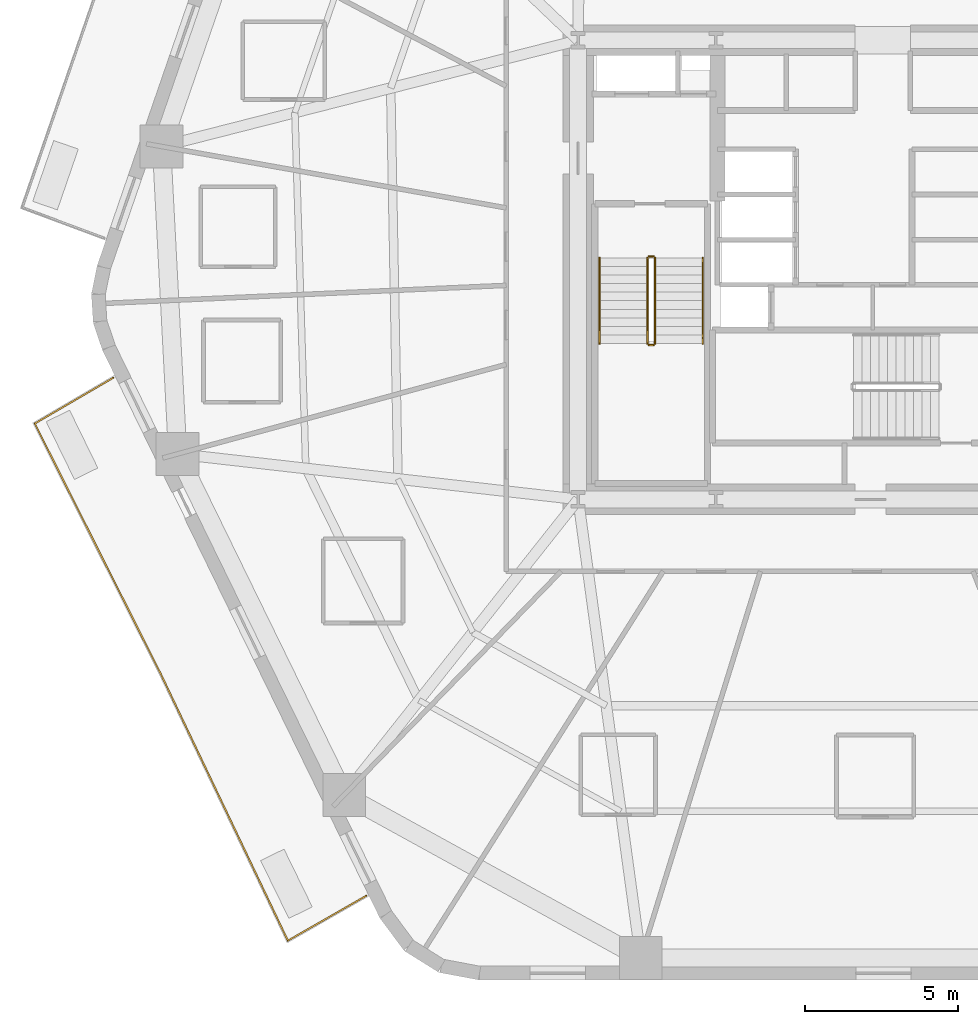
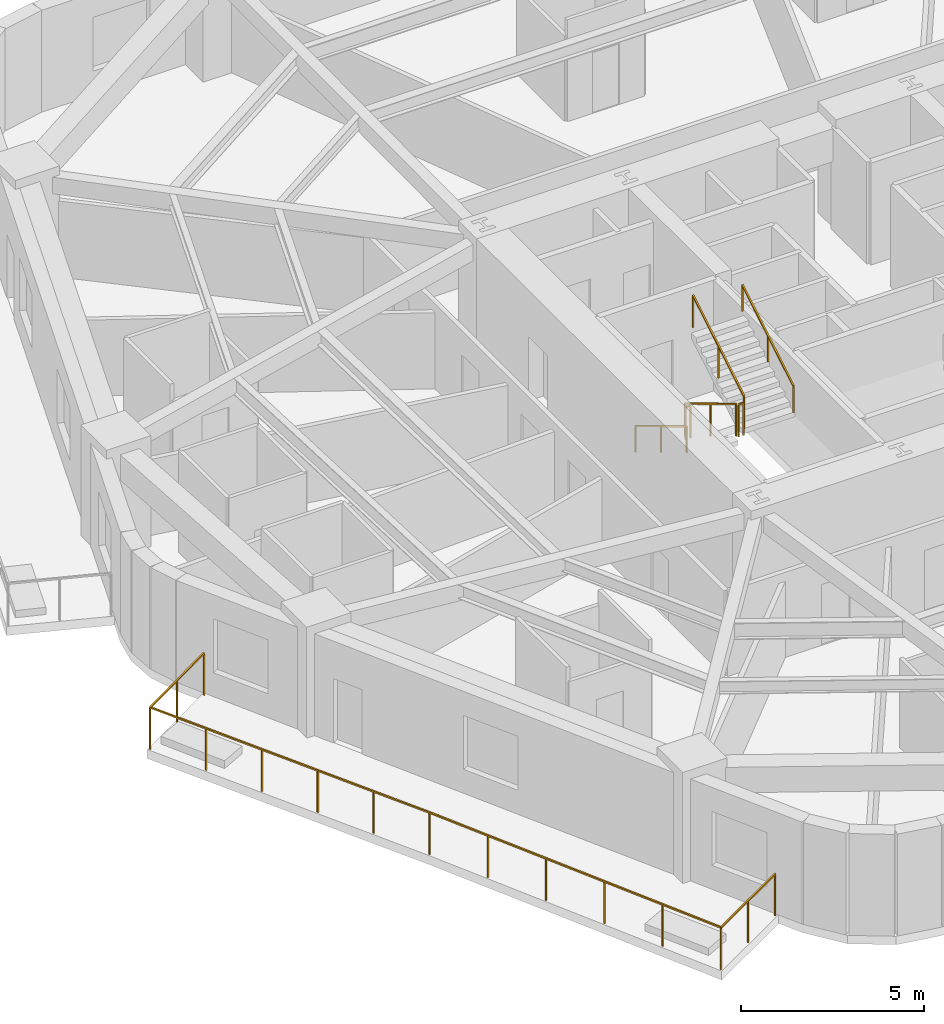
# One storey, part 8 of 10: 7 railings.
"""IFC4 building model written with IfcOpenShell, lengths in metres."""

from ifc_helpers import new_model, si_unit, direction, frame, origin, origin_2d, place, context, subcontext, project, spatial, rectangle, extrude, material, layer, layer_set, type_object, element, save


model = new_model("IFC4")

# Units and contexts
model_context = context("Model", 3, precision=1e-05, world=origin(), true_north=direction((0.0, 1.0)))
body_context = subcontext(model_context, "Body", "Model", "MODEL_VIEW")
ifc_project = project(units=[si_unit("LENGTHUNIT", "METRE"), si_unit("AREAUNIT", "SQUARE_METRE"), si_unit("VOLUMEUNIT", "CUBIC_METRE"), si_unit("PLANEANGLEUNIT", "RADIAN"), si_unit("MASSUNIT", "GRAM", prefix="KILO")], contexts=[model_context])

# Site, building, storey
site_placement = place(None, origin())
site = spatial("IfcSite", under=ifc_project, at=site_placement, CompositionType="ELEMENT")
building_placement = place(site_placement, origin())
building = spatial("IfcBuilding", under=site, at=building_placement, Name="Kilnhurst Terrace Hotel", CompositionType="ELEMENT")
storey_placement = place(building_placement, frame((0.0, 0.0, 78.60009765625)))
storey = spatial("IfcBuildingStorey", under=building, at=storey_placement, Name="L18", CompositionType="ELEMENT", Elevation=78.60009765625)

# Railings
ifc_material_1 = material(Name="Laminated SentryGlas and Stainless Steel AISI 316L Balustrade", Category="steel")
ifc_layer_1 = layer(ifc_material_1, 0.070068359375, Name="Laminated SentryGlas and Stainless Steel AISI 316L Balustrade")
ifc_layer_set_1 = layer_set([ifc_layer_1], Name="Laminated SentryGlas and Stainless Steel AISI 316L Balustrade")
railing_type_1 = type_object("IfcRailingType", Name="RLG-BAL-1420", PredefinedType="BALUSTRADE", material=ifc_layer_set_1)
railing_1_placement = place(storey_placement, frame((-15.923095703125, -20.44873046875, 0.0)))
element("IfcRailing", 1, at=railing_1_placement, inside=storey, type_object=railing_type_1, Name="L18 Exterior Terrace Guardrail BAL-L2B.1", PredefinedType="BALUSTRADE", context=body_context, shape_type="SweptSolid", body=[
    extrude(rectangle(XDim=0.048095703125, YDim=0.048095703125, at=origin_2d()), frame((0.0, 0.0, 1.39599609375), z_axis=(-0.86763656582, -0.497198943736, 0.0), x_axis=(0.497198943736, -0.86763656582, 0.0)), (0.0, 0.0, 1.0), 2.95068359375),
    extrude(rectangle(XDim=0.048095703125, YDim=0.048095703125, at=origin_2d()), frame((-2.56005859375, -1.467041015625, 1.39599609375), z_axis=(-0.430147205624, 0.902758761516, 0.0), x_axis=(-0.902758761516, -0.430147205624, 0.0)), (0.0, 0.0, 1.0), 9.67041015625),
    extrude(rectangle(XDim=0.048095703125, YDim=0.048095703125, at=origin_2d()), frame((-6.7197265625, 7.262939453125, 1.39599609375), z_axis=(-0.514495755428, 0.857492925713, 0.0), x_axis=(-0.857492925713, -0.514495755428, 0.0)), (0.0, 0.0, 1.0), 0.00146484375),
    extrude(rectangle(XDim=0.048095703125, YDim=0.048095703125, at=origin_2d()), frame((-6.720458984375, 7.26416015625, 1.39599609375), z_axis=(-0.449648824937, 0.89320542667, 0.0), x_axis=(-0.89320542667, -0.449648824937, 0.0)), (0.0, 0.0, 1.0), 9.136962890625),
    extrude(rectangle(XDim=0.048095703125, YDim=0.048095703125, at=origin_2d()), frame((-10.828857421875, 15.42529296875, 1.39599609375), z_axis=(0.863737120301, 0.503942642584, 0.0), x_axis=(-0.503942642584, 0.863737120301, 0.0)), (0.0, 0.0, 1.0), 2.96728515625),
    extrude(rectangle(XDim=0.0419921875, YDim=0.0419921875, at=origin_2d()), origin(), (0.0, 0.0, 1.0), 1.371826171875),
    extrude(rectangle(XDim=0.0419921875, YDim=0.0419921875, at=origin_2d()), frame((-1.280029296875, -0.7333984375, 0.0)), (0.0, 0.0, 1.0), 1.371826171875),
    extrude(rectangle(XDim=0.0419921875, YDim=0.0419921875, at=origin_2d()), frame((-2.56005859375, -1.467041015625, 0.0)), (0.0, 0.0, 1.0), 1.371826171875),
    extrude(rectangle(XDim=0.0419921875, YDim=0.0419921875, at=origin_2d()), frame((-3.39208984375, 0.279052734375, 0.0)), (0.0, 0.0, 1.0), 1.371826171875),
    extrude(rectangle(XDim=0.0419921875, YDim=0.0419921875, at=origin_2d()), frame((-4.223876953125, 2.02490234375, 0.0)), (0.0, 0.0, 1.0), 1.371826171875),
    extrude(rectangle(XDim=0.0419921875, YDim=0.0419921875, at=origin_2d()), frame((-5.055908203125, 3.77099609375, 0.0)), (0.0, 0.0, 1.0), 1.371826171875),
    extrude(rectangle(XDim=0.0419921875, YDim=0.0419921875, at=origin_2d()), frame((-5.8876953125, 5.516845703125, 0.0)), (0.0, 0.0, 1.0), 1.371826171875),
    extrude(rectangle(XDim=0.0419921875, YDim=0.0419921875, at=origin_2d()), frame((-6.7197265625, 7.262939453125, 0.0)), (0.0, 0.0, 1.0), 1.371826171875),
    extrude(rectangle(XDim=0.0419921875, YDim=0.0419921875, at=origin_2d()), frame((-6.720458984375, 7.26416015625, 0.0)), (0.0, 0.0, 1.0), 1.371826171875),
    extrude(rectangle(XDim=0.0419921875, YDim=0.0419921875, at=origin_2d()), frame((-7.542236328125, 8.896484375, 0.0)), (0.0, 0.0, 1.0), 1.371826171875),
    extrude(rectangle(XDim=0.0419921875, YDim=0.0419921875, at=origin_2d()), frame((-8.36376953125, 10.528564453125, 0.0)), (0.0, 0.0, 1.0), 1.371826171875),
    extrude(rectangle(XDim=0.0419921875, YDim=0.0419921875, at=origin_2d()), frame((-9.185546875, 12.160888671875, 0.0)), (0.0, 0.0, 1.0), 1.371826171875),
    extrude(rectangle(XDim=0.0419921875, YDim=0.0419921875, at=origin_2d()), frame((-10.007080078125, 13.79296875, 0.0)), (0.0, 0.0, 1.0), 1.371826171875),
    extrude(rectangle(XDim=0.0419921875, YDim=0.0419921875, at=origin_2d()), frame((-10.828857421875, 15.42529296875, 0.0)), (0.0, 0.0, 1.0), 1.371826171875),
    extrude(rectangle(XDim=0.0419921875, YDim=0.0419921875, at=origin_2d()), frame((-9.54736328125, 16.1728515625, 0.0)), (0.0, 0.0, 1.0), 1.371826171875),
    extrude(rectangle(XDim=0.0419921875, YDim=0.0419921875, at=origin_2d()), frame((-8.265869140625, 16.920654296875, 0.0)), (0.0, 0.0, 1.0), 1.371826171875),
])
ifc_material_2 = material(Name="Powder-Coated Steel ASTM A500 Grade B", Category="steel")
ifc_layer_2 = layer(ifc_material_2, 0.050048828125, Name="Powder-Coated Steel ASTM A500 Grade B")
ifc_layer_set_2 = layer_set([ifc_layer_2], Name="Powder-Coated Steel ASTM A500 Grade B")
railing_type_2 = type_object("IfcRailingType", Name="RLG-ST-GRD-1100", PredefinedType="GUARDRAIL", material=ifc_layer_set_2)
railing_2_placement = place(storey_placement, frame((-6.739990234375, 0.389892578125, 0.16796875)))
element("IfcRailing", 2, at=railing_2_placement, inside=storey, type_object=railing_type_2, Name="L18 ST-1 stair guard 1", PredefinedType="GUARDRAIL", context=body_context, shape_type="SweptSolid", body=[
    extrude(rectangle(XDim=0.048095703125, YDim=0.048095703125, at=origin_2d()), frame((0.0, 0.0, 1.076171875), z_axis=(0.0, -0.857222391501, 0.514946377315), x_axis=(1.0, 0.0, 0.0)), (0.0, 0.0, 1.0), 3.26611328125),
    extrude(rectangle(XDim=0.0419921875, YDim=0.0419921875, at=origin_2d()), origin(), (0.0, 0.0, 1.0), 1.052001953125),
    extrude(rectangle(XDim=0.0419921875, YDim=0.0419921875, at=origin_2d()), frame((0.0, -1.39990234375, 0.8408203125)), (0.0, 0.0, 1.0), 1.052001953125),
    extrude(rectangle(XDim=0.0419921875, YDim=0.0419921875, at=origin_2d()), frame((0.0, -2.7998046875, 1.681884765625)), (0.0, 0.0, 1.0), 1.052001953125),
])
railing_3_placement = place(storey_placement, frame((-6.68994140625, -2.4599609375, 1.849853515625)))
element("IfcRailing", 3, at=railing_3_placement, inside=storey, type_object=railing_type_2, Name="L18 ST-1 stair guard 2", PredefinedType="GUARDRAIL", context=body_context, shape_type="SweptSolid", body=[
    extrude(rectangle(XDim=0.048095703125, YDim=0.048095703125, at=origin_2d()), frame((0.0, 0.0, 1.076171875), z_axis=(1.0, 0.0, 0.0), x_axis=(0.0, 1.0, 0.0)), (0.0, 0.0, 1.0), 0.14990234375),
    extrude(rectangle(XDim=0.0419921875, YDim=0.0419921875, at=origin_2d()), origin(), (0.0, 0.0, 1.0), 1.052001953125),
    extrude(rectangle(XDim=0.0419921875, YDim=0.0419921875, at=origin_2d()), frame((0.14990234375, 0.0, 0.0)), (0.0, 0.0, 1.0), 1.052001953125),
])
railing_4_placement = place(storey_placement, frame((-6.489990234375, -2.409912109375, 2.01806640625)))
element("IfcRailing", 4, at=railing_4_placement, inside=storey, type_object=railing_type_2, Name="L18 ST-1 stair guard 3", PredefinedType="GUARDRAIL", context=body_context, shape_type="SweptSolid", body=[
    extrude(rectangle(XDim=0.048095703125, YDim=0.048095703125, at=origin_2d()), frame((0.0, 0.0, 1.076171875), z_axis=(0.0, 0.857222391501, 0.514946377315), x_axis=(-1.0, 0.0, 0.0)), (0.0, 0.0, 1.0), 3.26611328125),
    extrude(rectangle(XDim=0.0419921875, YDim=0.0419921875, at=origin_2d()), origin(), (0.0, 0.0, 1.0), 1.052001953125),
    extrude(rectangle(XDim=0.0419921875, YDim=0.0419921875, at=origin_2d()), frame((0.0, 1.39990234375, 0.8408203125)), (0.0, 0.0, 1.0), 1.052001953125),
    extrude(rectangle(XDim=0.0419921875, YDim=0.0419921875, at=origin_2d()), frame((0.0, 2.7998046875, 1.681884765625)), (0.0, 0.0, 1.0), 1.052001953125),
])
railing_5_placement = place(storey_placement, frame((-6.68994140625, 0.43994140625, 0.0)))
element("IfcRailing", 5, at=railing_5_placement, inside=storey, type_object=railing_type_2, Name="L18 ST-1 stair guard 4", PredefinedType="GUARDRAIL", context=body_context, shape_type="SweptSolid", body=[
    extrude(rectangle(XDim=0.048095703125, YDim=0.048095703125, at=origin_2d()), frame((0.0, 0.0, 1.076171875), z_axis=(1.0, 0.0, 0.0), x_axis=(0.0, 1.0, 0.0)), (0.0, 0.0, 1.0), 0.14990234375),
    extrude(rectangle(XDim=0.0419921875, YDim=0.0419921875, at=origin_2d()), origin(), (0.0, 0.0, 1.0), 1.052001953125),
    extrude(rectangle(XDim=0.0419921875, YDim=0.0419921875, at=origin_2d()), frame((0.14990234375, 0.0, 0.0)), (0.0, 0.0, 1.0), 1.052001953125),
])
ifc_material_3 = material(Name="Brushed Stainless Steel AISI 304", Category="steel")
ifc_layer_3 = layer(ifc_material_3, 0.048095703125, Name="Brushed Stainless Steel AISI 304")
ifc_layer_set_3 = layer_set([ifc_layer_3], Name="Brushed Stainless Steel AISI 304")
railing_type_3 = type_object("IfcRailingType", Name="RLG-ST-HRL-900", PredefinedType="HANDRAIL", material=ifc_layer_set_3)
railing_6_placement = place(storey_placement, frame((-8.300048828125, 0.389892578125, 0.16796875)))
element("IfcRailing", 6, at=railing_6_placement, inside=storey, type_object=railing_type_3, Name="L18 ST-1 stair handrail 1", PredefinedType="HANDRAIL", context=body_context, shape_type="SweptSolid", body=[
    extrude(rectangle(XDim=0.048095703125, YDim=0.048095703125, at=origin_2d()), frame((0.0, 0.0, 0.8759765625), z_axis=(0.0, -0.857222391501, 0.514946377315), x_axis=(1.0, 0.0, 0.0)), (0.0, 0.0, 1.0), 3.26611328125),
    extrude(rectangle(XDim=0.0419921875, YDim=0.0419921875, at=origin_2d()), origin(), (0.0, 0.0, 1.0), 0.851806640625),
    extrude(rectangle(XDim=0.0419921875, YDim=0.0419921875, at=origin_2d()), frame((0.0, -1.39990234375, 0.8408203125)), (0.0, 0.0, 1.0), 0.851806640625),
    extrude(rectangle(XDim=0.0419921875, YDim=0.0419921875, at=origin_2d()), frame((0.0, -2.7998046875, 1.681884765625)), (0.0, 0.0, 1.0), 0.851806640625),
])
railing_7_placement = place(storey_placement, frame((-4.929931640625, -2.409912109375, 2.01806640625)))
element("IfcRailing", 7, at=railing_7_placement, inside=storey, type_object=railing_type_3, Name="L18 ST-1 stair handrail 2", PredefinedType="HANDRAIL", context=body_context, shape_type="SweptSolid", body=[
    extrude(rectangle(XDim=0.048095703125, YDim=0.048095703125, at=origin_2d()), frame((0.0, 0.0, 0.8759765625), z_axis=(0.0, 0.857222391501, 0.514946377315), x_axis=(-1.0, 0.0, 0.0)), (0.0, 0.0, 1.0), 3.26611328125),
    extrude(rectangle(XDim=0.0419921875, YDim=0.0419921875, at=origin_2d()), origin(), (0.0, 0.0, 1.0), 0.851806640625),
    extrude(rectangle(XDim=0.0419921875, YDim=0.0419921875, at=origin_2d()), frame((0.0, 1.39990234375, 0.8408203125)), (0.0, 0.0, 1.0), 0.851806640625),
    extrude(rectangle(XDim=0.0419921875, YDim=0.0419921875, at=origin_2d()), frame((0.0, 2.7998046875, 1.681884765625)), (0.0, 0.0, 1.0), 0.851806640625),
])

save(model, "model.ifc")
